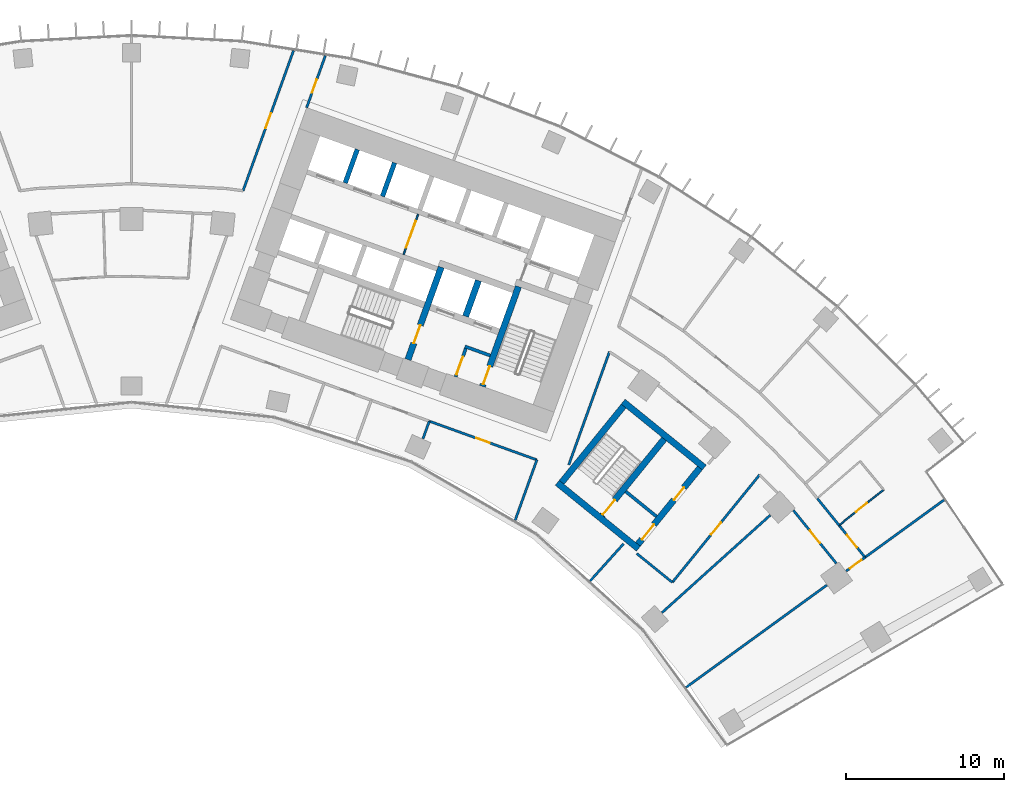
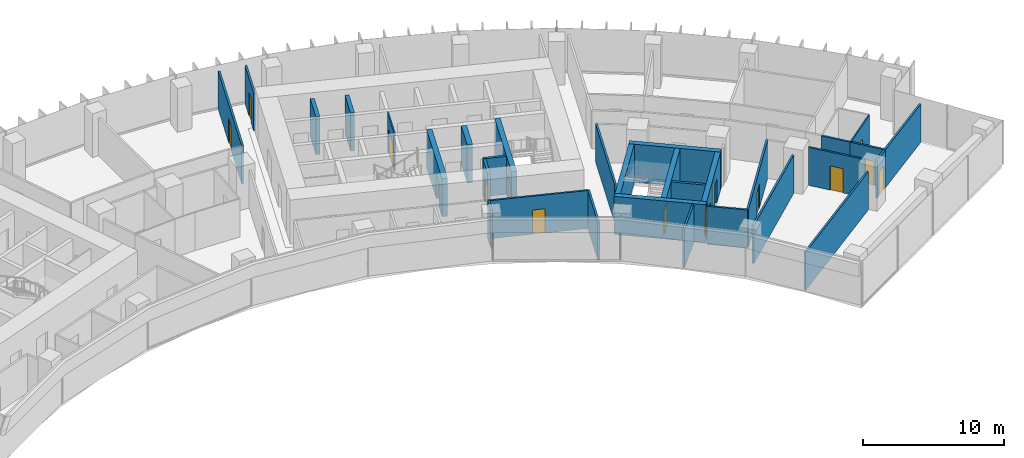
# One storey, part 18 of 22: 31 walls, 15 doors, 15 openings.
"""IFC4 building model written with IfcOpenShell, lengths in metres."""

from ifc_helpers import new_model, si_unit, direction, frame, frame_2d, origin, place, context, subcontext, project, spatial, rectangle, extrude, material, layer, layer_set, type_object, element, fill, save


model = new_model("IFC4")

# Units and contexts
model_context = context("Model", 3, precision=1e-05, world=origin(), true_north=direction((0.0, 1.0)))
body_context = subcontext(model_context, "Body", "Model", "MODEL_VIEW")
ifc_project = project(units=[si_unit("LENGTHUNIT", "METRE"), si_unit("AREAUNIT", "SQUARE_METRE"), si_unit("VOLUMEUNIT", "CUBIC_METRE"), si_unit("PLANEANGLEUNIT", "RADIAN"), si_unit("MASSUNIT", "GRAM", prefix="KILO")], contexts=[model_context])

# Site, building, storey
site_placement = place(None, origin())
site = spatial("IfcSite", under=ifc_project, at=site_placement, CompositionType="ELEMENT")
building_placement = place(site_placement, origin())
building = spatial("IfcBuilding", under=site, at=building_placement, Name="Stone Belt Terrace Tower", CompositionType="ELEMENT")
storey_placement = place(building_placement, frame((0.0, 0.0, 132.60009765625)))
storey = spatial("IfcBuildingStorey", under=building, at=storey_placement, Name="L32", CompositionType="ELEMENT", Elevation=132.60009765625)

# Wall, opening, door
ifc_material_1 = material(Name="Plasterboard partition")
ifc_layer_1 = layer(ifc_material_1, 0.10009765625)
ifc_layer_set_1 = layer_set([ifc_layer_1], Name="Core partition 100")
wall_type_1 = type_object("IfcWallType", Name="Core partition 100", PredefinedType="PARTITIONING", material=ifc_layer_set_1)
wall_1_placement = place(storey_placement, frame((17.17724609375, 52.749755859375, 0.0), z_axis=(0.0, 0.0, 1.0), x_axis=(0.338546555931, 0.940949642365, 0.0)))
wall_1 = element("IfcWall", 1, at=wall_1_placement, inside=storey, type_object=wall_type_1, Name="Core B wall", PredefinedType="PARTITIONING", context=body_context, shape_type="SweptSolid", body=[
    extrude(rectangle(XDim=2.699951171875, YDim=0.10009765625, at=frame_2d((1.35009765625, 0.0))), origin(), (0.0, 0.0, 1.0), 3.2998046875),
])
opening_1_placement = place(wall_1_placement, frame((0.449951171875, 0.0, 0.0)))
opening_1 = element("IfcOpeningElement", 2, at=opening_1_placement, cuts=wall_1, Name="Opening L32-C14", PredefinedType="OPENING", context=body_context, shape_type="SweptSolid", body=[
    extrude(rectangle(XDim=1.800048828125, YDim=2.10009765625, at=frame_2d((0.89990234375, 1.050048828125))), frame((0.0, 0.06005859375, 0.0), z_axis=(0.0, -1.0, 0.0), x_axis=(1.0, 0.0, 0.0)), (0.0, 0.0, 1.0), 0.1201171875),
])
ifc_material_2 = material(Name="Glazed aluminium door leaf", Category="aluminium")
door_type_1 = type_object("IfcDoorType", Name="Lift lobby entrance door 1800", OperationType="DOUBLE_DOOR_SINGLE_SWING", PredefinedType="DOOR", material=ifc_material_2)
door_1_placement = place(opening_1_placement, origin())
door_1 = element("IfcDoor", 3, at=door_1_placement, inside=storey, type_object=door_type_1, Name="Lift lobby double door core B", OperationType="DOUBLE_DOOR_SINGLE_SWING", OverallHeight=2.10009765625, OverallWidth=1.800048828125, PredefinedType="DOOR", context=body_context, shape_type="SweptSolid", body=[
    extrude(rectangle(XDim=1.800048828125, YDim=2.10009765625, at=frame_2d((0.89990234375, 1.050048828125))), frame((0.0, 0.02490234375, 0.0), z_axis=(0.0, -1.0, 0.0), x_axis=(1.0, 0.0, 0.0)), (0.0, 0.0, 1.0), 0.050048828125),
])
fill(opening_1, door_1)

# Walls
ifc_material_3 = material(Name="Concrete B80", Category="concrete")
ifc_layer_2 = layer(ifc_material_3, 0.39990234375)
ifc_layer_set_2 = layer_set([ifc_layer_2], Name="Fire-fighting lift shaft wall 400")
wall_type_2 = type_object("IfcWallType", Name="Fire-fighting lift shaft wall 400", PredefinedType="SHEAR", material=ifc_layer_set_2)
wall_2_placement = place(storey_placement, frame((21.0859375, 48.845458984375, 0.0), z_axis=(0.0, 0.0, 1.0), x_axis=(0.338629416206, 0.940919825745, 0.0)))
element("IfcWall", 4, at=wall_2_placement, inside=storey, type_object=wall_type_2, Name="Core B wall", PredefinedType="SHEAR", context=body_context, shape_type="SweptSolid", body=[
    extrude(rectangle(XDim=2.400146484375, YDim=0.39990234375, at=frame_2d((1.2001953125, 0.0))), origin(), (0.0, 0.0, 1.0), 3.2998046875),
])
ifc_layer_3 = layer(ifc_material_3, 0.300048828125)
ifc_layer_set_3 = layer_set([ifc_layer_3], Name="Lift shaft wall 300")
wall_type_3 = type_object("IfcWallType", Name="Lift shaft wall 300", PredefinedType="SHEAR", material=ifc_layer_set_3)
wall_3_placement = place(storey_placement, frame((15.8408203125, 56.419189453125, 0.0), z_axis=(0.0, 0.0, 1.0), x_axis=(0.338569601369, 0.940941350472, 0.0)))
element("IfcWall", 5, at=wall_3_placement, inside=storey, type_object=wall_type_3, Name="Core B wall", PredefinedType="SHEAR", context=body_context, shape_type="SweptSolid", body=[
    extrude(rectangle(XDim=2.249755859375, YDim=0.300048828125, at=frame_2d((1.125, 0.0))), origin(), (0.0, 0.0, 1.0), 3.2998046875),
])
wall_4_placement = place(storey_placement, frame((13.48828125, 57.265625, 0.0), z_axis=(0.0, 0.0, 1.0), x_axis=(0.338631098537, 0.940919220286, 0.0)))
element("IfcWall", 6, at=wall_4_placement, inside=storey, type_object=wall_type_3, Name="Core B wall", PredefinedType="SHEAR", context=body_context, shape_type="SweptSolid", body=[
    extrude(rectangle(XDim=2.250244140625, YDim=0.300048828125, at=frame_2d((1.125, 0.0))), origin(), (0.0, 0.0, 1.0), 3.2998046875),
])

# Wall, opening, door
ifc_material_4 = material(Name="Gypsum board partition")
ifc_layer_4 = layer(ifc_material_4, 0.10009765625)
ifc_layer_set_4 = layer_set([ifc_layer_4], Name="PARTITION 100")
wall_type_4 = type_object("IfcWallType", Name="PARTITION 100", PredefinedType="PARTITIONING", material=ifc_layer_set_4)
wall_5_placement = place(storey_placement, frame((44.657958984375, 35.658935546875, 0.0), z_axis=(0.0, 0.0, 1.0), x_axis=(0.781477418813, 0.623933525213, 0.0)))
wall_5 = element("IfcWall", 7, at=wall_5_placement, inside=storey, type_object=wall_type_4, Name="L32/wall/i074", PredefinedType="PARTITIONING", context=body_context, shape_type="SweptSolid", body=[
    extrude(rectangle(XDim=3.598388671875, YDim=0.10009765625, at=frame_2d((1.79931640625, 0.0))), origin(), (0.0, 0.0, 1.0), 3.2998046875),
])
opening_2_placement = place(wall_5_placement, frame((1.34912109375, 0.0, 0.0)))
opening_2 = element("IfcOpeningElement", 8, at=opening_2_placement, cuts=wall_5, Name="Opening D-B5-25", PredefinedType="OPENING", context=body_context, shape_type="SweptSolid", body=[
    extrude(rectangle(XDim=0.89990234375, YDim=2.10009765625, at=frame_2d((0.449951171875, 1.050048828125))), frame((0.0, 0.06005859375, 0.0), z_axis=(0.0, -1.0, 0.0), x_axis=(1.0, 0.0, 0.0)), (0.0, 0.0, 1.0), 0.1201171875),
])
ifc_material_5 = material(Name="Timber door leaf", Category="wood")
door_type_2 = type_object("IfcDoorType", Name="OFFICE DOOR 900 X 2100", OperationType="NOTDEFINED", PredefinedType="DOOR", material=ifc_material_5)
door_2_placement = place(opening_2_placement, origin())
door_2 = element("IfcDoor", 9, at=door_2_placement, inside=storey, type_object=door_type_2, Name="L32/door/i25", OperationType="SINGLE_SWING_RIGHT", OverallHeight=2.10009765625, OverallWidth=0.89990234375, PredefinedType="DOOR", context=body_context, shape_type="SweptSolid", body=[
    extrude(rectangle(XDim=0.89990234375, YDim=2.10009765625, at=frame_2d((0.449951171875, 1.050048828125))), frame((0.0, 0.02490234375, 0.0), z_axis=(0.0, -1.0, 0.0), x_axis=(1.0, 0.0, 0.0)), (0.0, 0.0, 1.0), 0.050048828125),
])
fill(opening_2, door_2)

ifc_layer_5 = layer(ifc_material_4, 0.14990234375)
ifc_layer_set_5 = layer_set([ifc_layer_5], Name="PARTITION 150 EI 60")
wall_type_5 = type_object("IfcWallType", Name="PARTITION 150 EI 60", PredefinedType="PARTITIONING", material=ifc_layer_set_5)
wall_6_placement = place(storey_placement, frame((12.23486328125, 65.297119140625, 0.0), z_axis=(0.0, 0.0, 1.0), x_axis=(-0.338853532575, -0.94083913793, 0.0)))
wall_6 = element("IfcWall", 10, at=wall_6_placement, inside=storey, type_object=wall_type_5, Name="L32/wall/i019", PredefinedType="PARTITIONING", context=body_context, shape_type="SweptSolid", body=[
    extrude(rectangle(XDim=3.482177734375, YDim=0.14990234375, at=frame_2d((1.7412109375, 0.0))), origin(), (0.0, 0.0, 1.0), 3.2998046875),
])
opening_3_placement = place(wall_6_placement, frame((1.58837890625, 0.0, 0.0)))
opening_3 = element("IfcOpeningElement", 11, at=opening_3_placement, cuts=wall_6, Name="Opening D-B5-10", PredefinedType="OPENING", context=body_context, shape_type="SweptSolid", body=[
    extrude(rectangle(XDim=0.89990234375, YDim=2.10009765625, at=frame_2d((0.449951171875, 1.050048828125))), frame((0.0, 0.0849609375, 0.0), z_axis=(0.0, -1.0, 0.0), x_axis=(1.0, 0.0, 0.0)), (0.0, 0.0, 1.0), 0.169921875),
])
door_3_placement = place(opening_3_placement, origin())
door_3 = element("IfcDoor", 12, at=door_3_placement, inside=storey, type_object=door_type_2, Name="L32/door/i10", OperationType="SINGLE_SWING_RIGHT", OverallHeight=2.10009765625, OverallWidth=0.89990234375, PredefinedType="DOOR", context=body_context, shape_type="SweptSolid", body=[
    extrude(rectangle(XDim=0.89990234375, YDim=2.10009765625, at=frame_2d((0.449951171875, 1.050048828125))), frame((0.0, 0.02490234375, 0.0), z_axis=(0.0, -1.0, 0.0), x_axis=(1.0, 0.0, 0.0)), (0.0, 0.0, 1.0), 0.050048828125),
])
fill(opening_3, door_3)

wall_7_placement = place(storey_placement, frame((7.0390625, 56.76708984375, 0.0), z_axis=(0.0, 0.0, 1.0), x_axis=(0.338637655092, 0.940916860596, 0.0)))
wall_7 = element("IfcWall", 13, at=wall_7_placement, inside=storey, type_object=wall_type_5, Name="L32/wall/i021", PredefinedType="PARTITIONING", context=body_context, shape_type="SweptSolid", body=[
    extrude(rectangle(XDim=9.40478515625, YDim=0.14990234375, at=frame_2d((4.702392578125, 0.0))), origin(), (0.0, 0.0, 1.0), 3.2998046875),
])
opening_4_placement = place(wall_7_placement, frame((4.202392578125, 0.0, 0.0)))
opening_4 = element("IfcOpeningElement", 14, at=opening_4_placement, cuts=wall_7, Name="Opening D-B5-30", PredefinedType="OPENING", context=body_context, shape_type="SweptSolid", body=[
    extrude(rectangle(XDim=1.0, YDim=2.10009765625, at=frame_2d((0.5, 1.050048828125))), frame((0.0, 0.0849609375, 0.0), z_axis=(0.0, -1.0, 0.0), x_axis=(1.0, 0.0, 0.0)), (0.0, 0.0, 1.0), 0.169921875),
])
ifc_material_6 = material(Name="Timber fire door leaf", Category="wood")
door_type_3 = type_object("IfcDoorType", Name="TENANCY ENTRANCE DOOR 1000 X 2100", OperationType="NOTDEFINED", PredefinedType="DOOR", material=ifc_material_6)
door_4_placement = place(opening_4_placement, origin())
door_4 = element("IfcDoor", 15, at=door_4_placement, inside=storey, type_object=door_type_3, Name="L32/door/i30", OperationType="SINGLE_SWING_RIGHT", OverallHeight=2.10009765625, OverallWidth=1.0, PredefinedType="DOOR", context=body_context, shape_type="SweptSolid", body=[
    extrude(rectangle(XDim=1.0, YDim=2.10009765625, at=frame_2d((0.5, 1.050048828125))), frame((0.0, 0.02490234375, 0.0), z_axis=(0.0, -1.0, 0.0), x_axis=(1.0, 0.0, 0.0)), (0.0, 0.0, 1.0), 0.050048828125),
])
fill(opening_4, door_4)

# Walls
wall_8_placement = place(storey_placement, frame((24.21240234375, 35.975341796875, 0.0), z_axis=(0.0, 0.0, 1.0), x_axis=(0.338542603355, 0.940951064463, 0.0)))
element("IfcWall", 16, at=wall_8_placement, inside=storey, type_object=wall_type_5, Name="L32/wall/i022", PredefinedType="PARTITIONING", context=body_context, shape_type="SweptSolid", body=[
    extrude(rectangle(XDim=4.05712890625, YDim=0.14990234375, at=frame_2d((2.028564453125, 0.0))), origin(), (0.0, 0.0, 1.0), 3.2998046875),
])
wall_9_placement = place(storey_placement, frame((30.1669921875, 46.612060546875, 0.0), z_axis=(0.0, 0.0, 1.0), x_axis=(-0.338694393991, -0.940896438233, 0.0)))
element("IfcWall", 17, at=wall_9_placement, inside=storey, type_object=wall_type_5, Name="L32/wall/i024", PredefinedType="PARTITIONING", context=body_context, shape_type="SweptSolid", body=[
    extrude(rectangle(XDim=7.585205078125, YDim=0.14990234375, at=frame_2d((3.79248046875, 0.0))), origin(), (0.0, 0.0, 1.0), 3.2998046875),
])
wall_10_placement = place(storey_placement, frame((31.054931640625, 34.489990234375, 0.0), z_axis=(0.0, 0.0, 1.0), x_axis=(-0.669118910745, -0.743155356089, 0.0)))
element("IfcWall", 18, at=wall_10_placement, inside=storey, type_object=wall_type_5, Name="L32/wall/i025", PredefinedType="PARTITIONING", context=body_context, shape_type="SweptSolid", body=[
    extrude(rectangle(XDim=3.149169921875, YDim=0.14990234375, at=frame_2d((1.57470703125, 0.0))), origin(), (0.0, 0.0, 1.0), 3.2998046875),
])

# Wall, opening, door
wall_11_placement = place(storey_placement, frame((25.583984375, 39.787109375, 0.0), z_axis=(0.0, 0.0, 1.0), x_axis=(-0.940903787311, 0.338673977482, 0.0)))
wall_11 = element("IfcWall", 19, at=wall_11_placement, inside=storey, type_object=wall_type_5, Name="L32/wall/i031", PredefinedType="PARTITIONING", context=body_context, shape_type="SweptSolid", body=[
    extrude(rectangle(XDim=7.2216796875, YDim=0.14990234375, at=frame_2d((3.61083984375, 0.0))), origin(), (0.0, 0.0, 1.0), 3.2998046875),
])
opening_5_placement = place(wall_11_placement, frame((3.160888671875, 0.0, 0.0)))
opening_5 = element("IfcOpeningElement", 20, at=opening_5_placement, cuts=wall_11, Name="Opening D-B5-09", PredefinedType="OPENING", context=body_context, shape_type="SweptSolid", body=[
    extrude(rectangle(XDim=0.89990234375, YDim=2.10009765625, at=frame_2d((0.449951171875, 1.050048828125))), frame((0.0, 0.0849609375, 0.0), z_axis=(0.0, -1.0, 0.0), x_axis=(1.0, 0.0, 0.0)), (0.0, 0.0, 1.0), 0.169921875),
])
door_5_placement = place(opening_5_placement, origin())
door_5 = element("IfcDoor", 21, at=door_5_placement, inside=storey, type_object=door_type_2, Name="L32/door/i09", OperationType="SINGLE_SWING_RIGHT", OverallHeight=2.10009765625, OverallWidth=0.89990234375, PredefinedType="DOOR", context=body_context, shape_type="SweptSolid", body=[
    extrude(rectangle(XDim=0.89990234375, YDim=2.10009765625, at=frame_2d((0.449951171875, 1.050048828125))), frame((0.0, 0.02490234375, 0.0), z_axis=(0.0, -1.0, 0.0), x_axis=(1.0, 0.0, 0.0)), (0.0, 0.0, 1.0), 0.050048828125),
])
fill(opening_5, door_5)

# Wall
wall_12_placement = place(storey_placement, frame((18.7939453125, 42.22998046875, 0.0), z_axis=(0.0, 0.0, 1.0), x_axis=(-0.338675376893, -0.940903283598, 0.0)))
element("IfcWall", 22, at=wall_12_placement, inside=storey, type_object=wall_type_5, Name="L32/wall/i034", PredefinedType="PARTITIONING", context=body_context, shape_type="SweptSolid", body=[
    extrude(rectangle(XDim=1.176513671875, YDim=0.14990234375, at=frame_2d((0.58837890625, 0.0))), origin(), (0.0, 0.0, 1.0), 3.2998046875),
])

# Wall, opening, door
wall_13_placement = place(storey_placement, frame((46.301025390625, 33.638916015625, 0.0), z_axis=(0.0, 0.0, 1.0), x_axis=(-0.809407972322, -0.587246740597, 0.0)))
wall_13 = element("IfcWall", 23, at=wall_13_placement, inside=storey, type_object=wall_type_5, Name="L32/wall/i044", PredefinedType="PARTITIONING", context=body_context, shape_type="SweptSolid", body=[
    extrude(rectangle(XDim=1.475830078125, YDim=0.14990234375, at=frame_2d((0.73779296875, 0.0))), origin(), (0.0, 0.0, 1.0), 3.2998046875),
])
opening_6_placement = place(wall_13_placement, frame((0.287841796875, 0.0, 0.0)))
opening_6 = element("IfcOpeningElement", 24, at=opening_6_placement, cuts=wall_13, Name="Opening D-B5-16", PredefinedType="OPENING", context=body_context, shape_type="SweptSolid", body=[
    extrude(rectangle(XDim=0.89990234375, YDim=2.10009765625, at=frame_2d((0.449951171875, 1.050048828125))), frame((0.0, 0.0849609375, 0.0), z_axis=(0.0, -1.0, 0.0), x_axis=(1.0, 0.0, 0.0)), (0.0, 0.0, 1.0), 0.169921875),
])
door_type_4 = type_object("IfcDoorType", Name="TENANCY ENTRANCE DOOR 900 X 2100", OperationType="NOTDEFINED", PredefinedType="DOOR", material=ifc_material_6)
door_6_placement = place(opening_6_placement, origin())
door_6 = element("IfcDoor", 25, at=door_6_placement, inside=storey, type_object=door_type_4, Name="L32/door/i16", OperationType="SINGLE_SWING_RIGHT", OverallHeight=2.10009765625, OverallWidth=0.89990234375, PredefinedType="DOOR", context=body_context, shape_type="SweptSolid", body=[
    extrude(rectangle(XDim=0.89990234375, YDim=2.10009765625, at=frame_2d((0.449951171875, 1.050048828125))), frame((0.0, 0.02490234375, 0.0), z_axis=(0.0, -1.0, 0.0), x_axis=(1.0, 0.0, 0.0)), (0.0, 0.0, 1.0), 0.050048828125),
])
fill(opening_6, door_6)

# Walls
wall_14_placement = place(storey_placement, frame((35.006103515625, 25.43310546875, 0.0), z_axis=(0.0, 0.0, 1.0), x_axis=(0.809031292707, 0.587765571823, 0.0)))
element("IfcWall", 26, at=wall_14_placement, inside=storey, type_object=wall_type_5, Name="L32/wall/i045", PredefinedType="PARTITIONING", context=body_context, shape_type="SweptSolid", body=[
    extrude(rectangle(XDim=10.975341796875, YDim=0.14990234375, at=frame_2d((5.48779296875, 0.0))), origin(), (0.0, 0.0, 1.0), 3.2998046875),
])
wall_15_placement = place(storey_placement, frame((46.291015625, 33.632080078125, 0.0), z_axis=(0.0, 0.0, 1.0), x_axis=(0.809007988274, 0.587797647927, 0.0)))
element("IfcWall", 27, at=wall_15_placement, inside=storey, type_object=wall_type_5, Name="L32/wall/i046", PredefinedType="PARTITIONING", context=body_context, shape_type="SweptSolid", body=[
    extrude(rectangle(XDim=6.171630859375, YDim=0.14990234375, at=frame_2d((3.0859375, 0.0))), origin(), (0.0, 0.0, 1.0), 3.2998046875),
])

# Wall, opening, door
wall_16_placement = place(storey_placement, frame((44.485107421875, 33.253662109375, 0.0), z_axis=(0.0, 0.0, 1.0), x_axis=(-0.629214542808, 0.777231663739, 0.0)))
wall_16 = element("IfcWall", 28, at=wall_16_placement, inside=storey, type_object=wall_type_5, Name="L32/wall/i053", PredefinedType="PARTITIONING", context=body_context, shape_type="SweptSolid", body=[
    extrude(rectangle(XDim=4.304931640625, YDim=0.14990234375, at=frame_2d((2.15234375, 0.0))), origin(), (0.0, 0.0, 1.0), 3.2998046875),
])
opening_7_placement = place(wall_16_placement, frame((1.652587890625, 0.0, 0.0)))
opening_7 = element("IfcOpeningElement", 29, at=opening_7_placement, cuts=wall_16, Name="Opening D-B5-19", PredefinedType="OPENING", context=body_context, shape_type="SweptSolid", body=[
    extrude(rectangle(XDim=1.0, YDim=2.10009765625, at=frame_2d((0.5, 1.050048828125))), frame((0.0, 0.0849609375, 0.0), z_axis=(0.0, -1.0, 0.0), x_axis=(1.0, 0.0, 0.0)), (0.0, 0.0, 1.0), 0.169921875),
])
door_7_placement = place(opening_7_placement, origin())
door_7 = element("IfcDoor", 30, at=door_7_placement, inside=storey, type_object=door_type_3, Name="L32/door/i19", OperationType="SINGLE_SWING_RIGHT", OverallHeight=2.10009765625, OverallWidth=1.0, PredefinedType="DOOR", context=body_context, shape_type="SweptSolid", body=[
    extrude(rectangle(XDim=1.0, YDim=2.10009765625, at=frame_2d((0.5, 1.050048828125))), frame((0.0, 0.02490234375, 0.0), z_axis=(0.0, -1.0, 0.0), x_axis=(1.0, 0.0, 0.0)), (0.0, 0.0, 1.0), 0.050048828125),
])
fill(opening_7, door_7)

wall_17_placement = place(storey_placement, frame((44.654052734375, 35.6630859375, 0.0), z_axis=(0.0, 0.0, 1.0), x_axis=(0.629397440797, -0.777083561477, 0.0)))
wall_17 = element("IfcWall", 31, at=wall_17_placement, inside=storey, type_object=wall_type_5, Name="L32/wall/i056", PredefinedType="PARTITIONING", context=body_context, shape_type="SweptSolid", body=[
    extrude(rectangle(XDim=2.608642578125, YDim=0.14990234375, at=frame_2d((1.30419921875, 0.0))), origin(), (0.0, 0.0, 1.0), 3.2998046875),
])
opening_8_placement = place(wall_17_placement, frame((0.80419921875, 0.0, 0.0)))
opening_8 = element("IfcOpeningElement", 32, at=opening_8_placement, cuts=wall_17, Name="Opening D-B5-24", PredefinedType="OPENING", context=body_context, shape_type="SweptSolid", body=[
    extrude(rectangle(XDim=1.0, YDim=2.10009765625, at=frame_2d((0.5, 1.050048828125))), frame((0.0, 0.0849609375, 0.0), z_axis=(0.0, -1.0, 0.0), x_axis=(1.0, 0.0, 0.0)), (0.0, 0.0, 1.0), 0.169921875),
])
door_8_placement = place(opening_8_placement, origin())
door_8 = element("IfcDoor", 33, at=door_8_placement, inside=storey, type_object=door_type_3, Name="L32/door/i24", OperationType="SINGLE_SWING_RIGHT", OverallHeight=2.10009765625, OverallWidth=1.0, PredefinedType="DOOR", context=body_context, shape_type="SweptSolid", body=[
    extrude(rectangle(XDim=1.0, YDim=2.10009765625, at=frame_2d((0.5, 1.050048828125))), frame((0.0, 0.02490234375, 0.0), z_axis=(0.0, -1.0, 0.0), x_axis=(1.0, 0.0, 0.0)), (0.0, 0.0, 1.0), 0.050048828125),
])
fill(opening_8, door_8)

# Wall
wall_18_placement = place(storey_placement, frame((43.27392578125, 37.366943359375, 0.0), z_axis=(0.0, 0.0, 1.0), x_axis=(0.629290634634, -0.777170056784, 0.0)))
element("IfcWall", 34, at=wall_18_placement, inside=storey, type_object=wall_type_5, Name="L32/wall/i057", PredefinedType="PARTITIONING", context=body_context, shape_type="SweptSolid", body=[
    extrude(rectangle(XDim=2.2041015625, YDim=0.14990234375, at=frame_2d((1.10205078125, 0.0))), origin(), (0.0, 0.0, 1.0), 3.2998046875),
])

# Wall, opening, door
wall_19_placement = place(storey_placement, frame((39.64599609375, 38.84912109375, 0.0), z_axis=(0.0, 0.0, 1.0), x_axis=(-0.630141823003, -0.776480059566, 0.0)))
wall_19 = element("IfcWall", 35, at=wall_19_placement, inside=storey, type_object=wall_type_5, Name="L32/wall/i059", PredefinedType="PARTITIONING", context=body_context, shape_type="SweptSolid", body=[
    extrude(rectangle(XDim=8.748779296875, YDim=0.14990234375, at=frame_2d((4.37451171875, 0.0))), origin(), (0.0, 0.0, 1.0), 3.2998046875),
])
opening_9_placement = place(wall_19_placement, frame((3.874267578125, 0.0, 0.0)))
opening_9 = element("IfcOpeningElement", 36, at=opening_9_placement, cuts=wall_19, Name="Opening D-B5-18", PredefinedType="OPENING", context=body_context, shape_type="SweptSolid", body=[
    extrude(rectangle(XDim=1.0, YDim=2.10009765625, at=frame_2d((0.5, 1.050048828125))), frame((0.0, 0.0849609375, 0.0), z_axis=(0.0, -1.0, 0.0), x_axis=(1.0, 0.0, 0.0)), (0.0, 0.0, 1.0), 0.169921875),
])
door_9_placement = place(opening_9_placement, origin())
door_9 = element("IfcDoor", 37, at=door_9_placement, inside=storey, type_object=door_type_3, Name="L32/door/i18", OperationType="SINGLE_SWING_RIGHT", OverallHeight=2.10009765625, OverallWidth=1.0, PredefinedType="DOOR", context=body_context, shape_type="SweptSolid", body=[
    extrude(rectangle(XDim=1.0, YDim=2.10009765625, at=frame_2d((0.5, 1.050048828125))), frame((0.0, 0.02490234375, 0.0), z_axis=(0.0, -1.0, 0.0), x_axis=(1.0, 0.0, 0.0)), (0.0, 0.0, 1.0), 0.050048828125),
])
fill(opening_9, door_9)

# Walls
wall_20_placement = place(storey_placement, frame((34.133056640625, 32.055908203125, 0.0), z_axis=(0.0, 0.0, 1.0), x_axis=(-0.776369956068, 0.630277471686, 0.0)))
element("IfcWall", 38, at=wall_20_placement, inside=storey, type_object=wall_type_5, Name="L32/wall/i060", PredefinedType="PARTITIONING", context=body_context, shape_type="SweptSolid", body=[
    extrude(rectangle(XDim=2.8876953125, YDim=0.14990234375, at=frame_2d((1.44384765625, 0.0))), origin(), (0.0, 0.0, 1.0), 3.2998046875),
])
wall_21_placement = place(storey_placement, frame((40.311767578125, 36.297119140625, 0.0), z_axis=(0.0, 0.0, 1.0), x_axis=(-0.74312513137, -0.669152478233, 0.0)))
element("IfcWall", 39, at=wall_21_placement, inside=storey, type_object=wall_type_5, Name="L32/wall/i061", PredefinedType="PARTITIONING", context=body_context, shape_type="SweptSolid", body=[
    extrude(rectangle(XDim=9.195068359375, YDim=0.14990234375, at=frame_2d((4.59765625, 0.0))), origin(), (0.0, 0.0, 1.0), 3.2998046875),
])
ifc_material_7 = material(Name="Concrete masonry block", Category="masonry")
ifc_layer_6 = layer(ifc_material_7, 0.199951171875)
ifc_layer_set_6 = layer_set([ifc_layer_6], Name="Rated lobby wall 200")
wall_type_6 = type_object("IfcWallType", Name="Rated lobby wall 200", PredefinedType="PARTITIONING", material=ifc_layer_set_6)
wall_22_placement = place(storey_placement, frame((22.640625, 46.373046875, 0.0), z_axis=(0.0, 0.0, 1.0), x_axis=(-0.940966110313, 0.338500781747, 0.0)))
element("IfcWall", 40, at=wall_22_placement, inside=storey, type_object=wall_type_6, Name="Core B wall", PredefinedType="PARTITIONING", context=body_context, shape_type="SweptSolid", body=[
    extrude(rectangle(XDim=1.699951171875, YDim=0.199951171875, at=frame_2d((0.85009765625, 0.0))), origin(), (0.0, 0.0, 1.0), 3.2998046875),
])

# Wall, opening, door
wall_23_placement = place(storey_placement, frame((20.4580078125, 45.032958984375, 0.0), z_axis=(0.0, 0.0, 1.0), x_axis=(0.338573865316, 0.940939816208, 0.0)))
wall_23 = element("IfcWall", 41, at=wall_23_placement, inside=storey, type_object=wall_type_6, Name="Core B wall", PredefinedType="PARTITIONING", context=body_context, shape_type="SweptSolid", body=[
    extrude(rectangle(XDim=1.900146484375, YDim=0.199951171875, at=frame_2d((0.9501953125, 0.0))), origin(), (0.0, 0.0, 1.0), 3.2998046875),
])
opening_10_placement = place(wall_23_placement, frame((0.14990234375, 0.0, 0.0)))
opening_10 = element("IfcOpeningElement", 42, at=opening_10_placement, cuts=wall_23, Name="Opening L32-C17", PredefinedType="OPENING", context=body_context, shape_type="SweptSolid", body=[
    extrude(rectangle(XDim=1.199951171875, YDim=2.10009765625, at=frame_2d((0.60009765625, 1.050048828125))), frame((0.0, 0.10986328125, 0.0), z_axis=(0.0, -1.0, 0.0), x_axis=(1.0, 0.0, 0.0)), (0.0, 0.0, 1.0), 0.219970703125),
])
ifc_material_8 = material(Name="Steel door leaf", Category="steel")
door_type_5 = type_object("IfcDoorType", Name="Stair door 1200", OperationType="SINGLE_SWING_LEFT", PredefinedType="DOOR", material=ifc_material_8)
door_10_placement = place(opening_10_placement, origin())
door_10 = element("IfcDoor", 43, at=door_10_placement, inside=storey, type_object=door_type_5, Name="Stair airlock door core B", OperationType="SINGLE_SWING_LEFT", OverallHeight=2.10009765625, OverallWidth=1.199951171875, PredefinedType="DOOR", context=body_context, shape_type="SweptSolid", body=[
    extrude(rectangle(XDim=1.199951171875, YDim=2.10009765625, at=frame_2d((0.60009765625, 1.050048828125))), frame((0.0, 0.02490234375, 0.0), z_axis=(0.0, -1.0, 0.0), x_axis=(1.0, 0.0, 0.0)), (0.0, 0.0, 1.0), 0.050048828125),
])
fill(opening_10, door_10)

# Wall
wall_24_placement = place(storey_placement, frame((31.190673828125, 37.79296875, 0.0), z_axis=(0.0, 0.0, 1.0), x_axis=(0.776370830301, -0.630276394813, 0.0)))
element("IfcWall", 44, at=wall_24_placement, inside=storey, type_object=wall_type_6, Name="Exit stair ST3B wall", PredefinedType="PARTITIONING", context=body_context, shape_type="SweptSolid", body=[
    extrude(rectangle(XDim=2.5, YDim=0.199951171875, at=frame_2d((1.25, 0.0))), origin(), (0.0, 0.0, 1.0), 3.2998046875),
])

# Wall, opening, door
ifc_layer_7 = layer(ifc_material_3, 0.39990234375)
ifc_layer_set_7 = layer_set([ifc_layer_7], Name="Stair enclosure wall 400")
wall_type_7 = type_object("IfcWallType", Name="Stair enclosure wall 400", PredefinedType="SHEAR", material=ifc_layer_set_7)
wall_25_placement = place(storey_placement, frame((22.151611328125, 44.42333984375, 0.0), z_axis=(0.0, 0.0, 1.0), x_axis=(0.338625272931, 0.940921316866, 0.0)))
wall_25 = element("IfcWall", 45, at=wall_25_placement, inside=storey, type_object=wall_type_7, Name="Core B wall", PredefinedType="SHEAR", context=body_context, shape_type="SweptSolid", body=[
    extrude(rectangle(XDim=6.699951171875, YDim=0.39990234375, at=frame_2d((3.35009765625, 0.0))), origin(), (0.0, 0.0, 1.0), 3.2998046875),
])
opening_11_placement = place(wall_25_placement, frame((0.14990234375, 0.0, 0.0)))
opening_11 = element("IfcOpeningElement", 46, at=opening_11_placement, cuts=wall_25, Name="Opening L32-C16", PredefinedType="OPENING", context=body_context, shape_type="SweptSolid", body=[
    extrude(rectangle(XDim=1.199951171875, YDim=2.10009765625, at=frame_2d((0.60009765625, 1.050048828125))), frame((0.0, 0.2099609375, 0.0), z_axis=(0.0, -1.0, 0.0), x_axis=(1.0, 0.0, 0.0)), (0.0, 0.0, 1.0), 0.419921875),
])
door_11_placement = place(opening_11_placement, origin())
door_11 = element("IfcDoor", 47, at=door_11_placement, inside=storey, type_object=door_type_5, Name="Stair 1 door core B", OperationType="SINGLE_SWING_LEFT", OverallHeight=2.10009765625, OverallWidth=1.199951171875, PredefinedType="DOOR", context=body_context, shape_type="SweptSolid", body=[
    extrude(rectangle(XDim=1.199951171875, YDim=2.10009765625, at=frame_2d((0.60009765625, 1.050048828125))), frame((0.0, 0.02490234375, 0.0), z_axis=(0.0, -1.0, 0.0), x_axis=(1.0, 0.0, 0.0)), (0.0, 0.0, 1.0), 0.050048828125),
])
fill(opening_11, door_11)

wall_26_placement = place(storey_placement, frame((17.447021484375, 46.116455078125, 0.0), z_axis=(0.0, 0.0, 1.0), x_axis=(0.33860791464, 0.940927563707, 0.0)))
wall_26 = element("IfcWall", 48, at=wall_26_placement, inside=storey, type_object=wall_type_7, Name="Core B wall", PredefinedType="SHEAR", context=body_context, shape_type="SweptSolid", body=[
    extrude(rectangle(XDim=6.199951171875, YDim=0.39990234375, at=frame_2d((3.10009765625, 0.0))), origin(), (0.0, 0.0, 1.0), 3.2998046875),
])
opening_12_placement = place(wall_26_placement, frame((1.10009765625, 0.0, 0.0)))
opening_12 = element("IfcOpeningElement", 49, at=opening_12_placement, cuts=wall_26, Name="Opening L32-C19", PredefinedType="OPENING", context=body_context, shape_type="SweptSolid", body=[
    extrude(rectangle(XDim=1.199951171875, YDim=2.10009765625, at=frame_2d((0.60009765625, 1.050048828125))), frame((0.0, 0.2099609375, 0.0), z_axis=(0.0, -1.0, 0.0), x_axis=(1.0, 0.0, 0.0)), (0.0, 0.0, 1.0), 0.419921875),
])
door_12_placement = place(opening_12_placement, origin())
door_12 = element("IfcDoor", 50, at=door_12_placement, inside=storey, type_object=door_type_5, Name="Stair 2 door core B", OperationType="SINGLE_SWING_LEFT", OverallHeight=2.10009765625, OverallWidth=1.199951171875, PredefinedType="DOOR", context=body_context, shape_type="SweptSolid", body=[
    extrude(rectangle(XDim=1.199951171875, YDim=2.10009765625, at=frame_2d((0.60009765625, 1.050048828125))), frame((0.0, 0.02490234375, 0.0), z_axis=(0.0, -1.0, 0.0), x_axis=(1.0, 0.0, 0.0)), (0.0, 0.0, 1.0), 0.050048828125),
])
fill(opening_12, door_12)

# Walls
wall_27_placement = place(storey_placement, frame((26.868408203125, 38.3388671875, 0.0), z_axis=(0.0, 0.0, 1.0), x_axis=(0.776428452498, -0.630205409491, 0.0)))
element("IfcWall", 51, at=wall_27_placement, inside=storey, type_object=wall_type_7, Name="Exit stair ST3B wall", PredefinedType="SHEAR", context=body_context, shape_type="SweptSolid", body=[
    extrude(rectangle(XDim=6.60009765625, YDim=0.39990234375, at=frame_2d((3.300048828125, 0.0))), origin(), (0.0, 0.0, 1.0), 3.2998046875),
])
wall_28_placement = place(storey_placement, frame((31.02783203125, 43.46337890625, 0.0), z_axis=(0.0, 0.0, 1.0), x_axis=(0.776413760801, -0.630223509589, 0.0)))
element("IfcWall", 52, at=wall_28_placement, inside=storey, type_object=wall_type_7, Name="Exit stair ST3B wall", PredefinedType="SHEAR", context=body_context, shape_type="SweptSolid", body=[
    extrude(rectangle(XDim=6.599853515625, YDim=0.39990234375, at=frame_2d((3.2998046875, 0.0))), origin(), (0.0, 0.0, 1.0), 3.2998046875),
])
wall_29_placement = place(storey_placement, frame((27.149658203125, 38.3681640625, 0.0), z_axis=(0.0, 0.0, 1.0), x_axis=(0.630211551729, 0.776423466973, 0.0)))
element("IfcWall", 53, at=wall_29_placement, inside=storey, type_object=wall_type_7, Name="Exit stair ST3B wall", PredefinedType="SHEAR", context=body_context, shape_type="SweptSolid", body=[
    extrude(rectangle(XDim=6.199951171875, YDim=0.39990234375, at=frame_2d((3.10009765625, 0.0))), origin(), (0.0, 0.0, 1.0), 3.2998046875),
])

# Wall, openings, doors
wall_30_placement = place(storey_placement, frame((31.963623046875, 34.460693359375, 0.0), z_axis=(0.0, 0.0, 1.0), x_axis=(0.630192283849, 0.776439106033, 0.0)))
wall_30 = element("IfcWall", 54, at=wall_30_placement, inside=storey, type_object=wall_type_7, Name="Exit stair ST3B wall", PredefinedType="SHEAR", context=body_context, shape_type="SweptSolid", body=[
    extrude(rectangle(XDim=6.199951171875, YDim=0.39990234375, at=frame_2d((3.10009765625, 0.0))), origin(), (0.0, 0.0, 1.0), 3.2998046875),
])
opening_13_placement = place(wall_30_placement, frame((0.39990234375, 0.0, 0.0)))
opening_13 = element("IfcOpeningElement", 55, at=opening_13_placement, cuts=wall_30, Name="Opening L32-C27", PredefinedType="OPENING", context=body_context, shape_type="SweptSolid", body=[
    extrude(rectangle(XDim=1.199951171875, YDim=2.10009765625, at=frame_2d((0.60009765625, 1.050048828125))), frame((0.0, 0.2099609375, 0.0), z_axis=(0.0, -1.0, 0.0), x_axis=(1.0, 0.0, 0.0)), (0.0, 0.0, 1.0), 0.419921875),
])
opening_14_placement = place(wall_30_placement, frame((3.60009765625, 0.0, 0.0)))
opening_14 = element("IfcOpeningElement", 56, at=opening_14_placement, cuts=wall_30, Name="Opening L32-C28", PredefinedType="OPENING", context=body_context, shape_type="SweptSolid", body=[
    extrude(rectangle(XDim=1.0, YDim=2.10009765625, at=frame_2d((0.5, 1.050048828125))), frame((0.0, 0.2099609375, 0.0), z_axis=(0.0, -1.0, 0.0), x_axis=(1.0, 0.0, 0.0)), (0.0, 0.0, 1.0), 0.419921875),
])
door_type_6 = type_object("IfcDoorType", Name="Core room door 1000", OperationType="SINGLE_SWING_LEFT", PredefinedType="DOOR", material=ifc_material_5)
door_13_placement = place(opening_14_placement, origin())
door_13 = element("IfcDoor", 57, at=door_13_placement, inside=storey, type_object=door_type_6, Name="Door to stair pressurisation plant room ST3B", OperationType="SINGLE_SWING_RIGHT", OverallHeight=2.10009765625, OverallWidth=1.0, PredefinedType="DOOR", context=body_context, shape_type="SweptSolid", body=[
    extrude(rectangle(XDim=1.0, YDim=2.10009765625, at=frame_2d((0.5, 1.050048828125))), frame((0.0, 0.02490234375, 0.0), z_axis=(0.0, -1.0, 0.0), x_axis=(1.0, 0.0, 0.0)), (0.0, 0.0, 1.0), 0.050048828125),
])
fill(opening_14, door_13)
door_type_7 = type_object("IfcDoorType", Name="Stair airlock door 1200", OperationType="SINGLE_SWING_LEFT", PredefinedType="DOOR", material=ifc_material_8)
door_14_placement = place(opening_13_placement, origin())
door_14 = element("IfcDoor", 58, at=door_14_placement, inside=storey, type_object=door_type_7, Name="Stair airlock door ST3B", OperationType="SINGLE_SWING_RIGHT", OverallHeight=2.10009765625, OverallWidth=1.199951171875, PredefinedType="DOOR", context=body_context, shape_type="SweptSolid", body=[
    extrude(rectangle(XDim=1.199951171875, YDim=2.10009765625, at=frame_2d((0.60009765625, 1.050048828125))), frame((0.0, 0.02490234375, 0.0), z_axis=(0.0, -1.0, 0.0), x_axis=(1.0, 0.0, 0.0)), (0.0, 0.0, 1.0), 0.050048828125),
])
fill(opening_13, door_14)

# Wall, opening, door
wall_31_placement = place(storey_placement, frame((29.7119140625, 36.288330078125, 0.0), z_axis=(0.0, 0.0, 1.0), x_axis=(0.630192283849, 0.776439106033, 0.0)))
wall_31 = element("IfcWall", 59, at=wall_31_placement, inside=storey, type_object=wall_type_7, Name="Exit stair ST3B wall", PredefinedType="SHEAR", context=body_context, shape_type="SweptSolid", body=[
    extrude(rectangle(XDim=6.199951171875, YDim=0.39990234375, at=frame_2d((3.10009765625, 0.0))), origin(), (0.0, 0.0, 1.0), 3.2998046875),
])
opening_15_placement = place(wall_31_placement, frame((0.050048828125, 0.0, 0.0)))
opening_15 = element("IfcOpeningElement", 60, at=opening_15_placement, cuts=wall_31, Name="Opening L32-C26", PredefinedType="OPENING", context=body_context, shape_type="SweptSolid", body=[
    extrude(rectangle(XDim=1.199951171875, YDim=2.10009765625, at=frame_2d((0.60009765625, 1.050048828125))), frame((0.0, 0.2099609375, 0.0), z_axis=(0.0, -1.0, 0.0), x_axis=(1.0, 0.0, 0.0)), (0.0, 0.0, 1.0), 0.419921875),
])
door_15_placement = place(opening_15_placement, origin())
door_15 = element("IfcDoor", 61, at=door_15_placement, inside=storey, type_object=door_type_5, Name="Stair door ST3B", OperationType="SINGLE_SWING_LEFT", OverallHeight=2.10009765625, OverallWidth=1.199951171875, PredefinedType="DOOR", context=body_context, shape_type="SweptSolid", body=[
    extrude(rectangle(XDim=1.199951171875, YDim=2.10009765625, at=frame_2d((0.60009765625, 1.050048828125))), frame((0.0, 0.02490234375, 0.0), z_axis=(0.0, -1.0, 0.0), x_axis=(1.0, 0.0, 0.0)), (0.0, 0.0, 1.0), 0.050048828125),
])
fill(opening_15, door_15)

save(model, "model.ifc")
